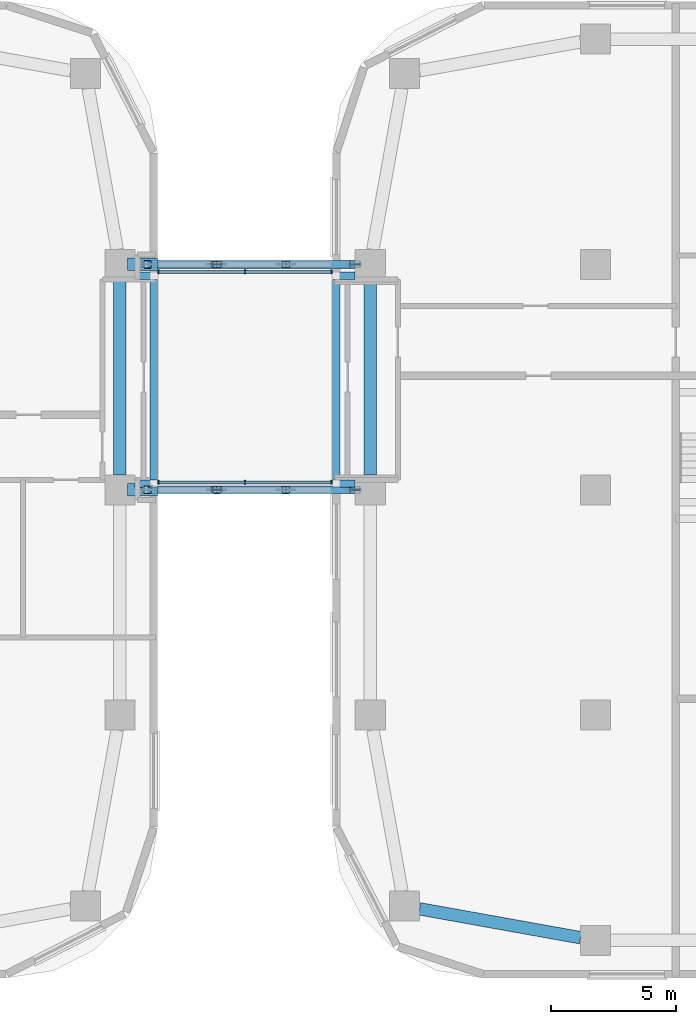
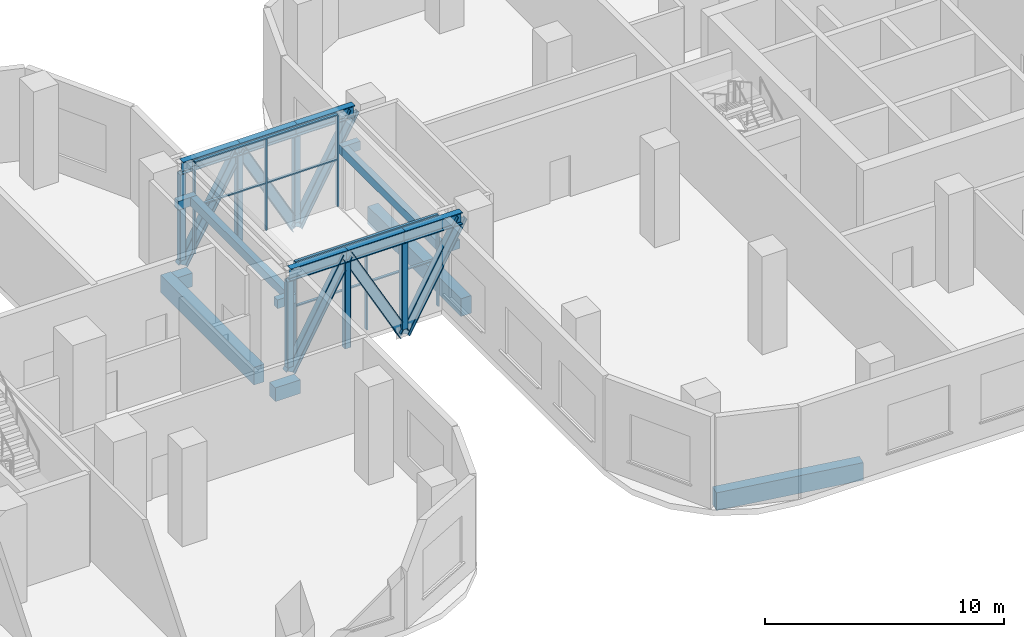
# One storey, part 2 of 33: 28 members, 11 beams, 2 elements without a shape of their own.
"""IFC4 building model written with IfcOpenShell, lengths in metres."""

import ifcopenshell
import ifcopenshell.guid

model = None  # the IFC model being written
_history = None  # IfcOwnerHistory: only IFC2X3 demands one
_inside = {}  # id of a spatial element -> (the spatial element, [elements in it])
_under = {}  # id of a project, library or spatial element -> (it, [spatial elements below it])
_declared = {}  # id of a project -> (the project, [libraries it declares])
_typed = {}  # id of a type object -> (the type object, [elements of that type])
_made_of = {}  # id of a material, layer set ... -> (it, [elements and type objects made of it])


def new_model(schema):
    """Start an empty IFC model of exactly this schema.

    Asked for "IFC4X3", IfcOpenShell would pick the latest addendum, in which some entities
    have other attributes; the version numbers below select the first issue.
    IFC2X3 requires an IfcOwnerHistory on every rooted entity: one is made here for all.
    """
    global model, _history
    if schema == "IFC4X3":
        model = ifcopenshell.file(schema_version=(4, 3, 0, 0))
    else:
        model = ifcopenshell.file(schema=schema)
    _inside.clear()
    _under.clear()
    _declared.clear()
    _typed.clear()
    _made_of.clear()
    _history = None
    if model.schema == "IFC2X3":
        org = make("IfcOrganization", Name="unknown")
        user = make(
            "IfcPersonAndOrganization",
            ThePerson=make("IfcPerson", FamilyName="unknown"),
            TheOrganization=org,
        )
        app = make(
            "IfcApplication",
            ApplicationDeveloper=org,
            Version="unknown",
            ApplicationFullName="unknown",
            ApplicationIdentifier="unknown",
        )
        _history = make(
            "IfcOwnerHistory",
            OwningUser=user,
            OwningApplication=app,
            ChangeAction="ADDED",
            CreationDate=0,
        )
    return model


def make(cls, **values):
    """One entity of the class cls with the attributes given. An attribute that is None is left unset."""
    return model.create_entity(
        cls, **{name: value for name, value in values.items() if value is not None}
    )


def rooted(cls, **values):
    """An entity with a GlobalId (a new one), such as an element, a storey or a relation."""
    return make(cls, GlobalId=ifcopenshell.guid.new(), OwnerHistory=_history, **values)


def si_unit(unit_type, name, prefix=None):
    """IfcSIUnit, for example si_unit("LENGTHUNIT", "METRE", prefix="MILLI")."""
    return make("IfcSIUnit", UnitType=unit_type, Prefix=prefix, Name=name)


def assignment(units):
    """IfcUnitAssignment: the units of a project."""
    return None if units is None else make("IfcUnitAssignment", Units=units)


def point(xyz):
    """IfcCartesianPoint."""
    return None if xyz is None else make("IfcCartesianPoint", Coordinates=xyz)


def direction(xyz):
    """IfcDirection."""
    return None if xyz is None else make("IfcDirection", DirectionRatios=xyz)


def frame(location, z_axis=None, x_axis=None):
    """IfcAxis2Placement3D, a coordinate frame: its origin and axes. An axis left out is left unset."""
    return make(
        "IfcAxis2Placement3D",
        Location=point(location),
        Axis=direction(z_axis),
        RefDirection=direction(x_axis),
    )


def frame_2d(location, x_axis=None):
    """IfcAxis2Placement2D, a coordinate frame in the plane: its origin and x axis."""
    return make(
        "IfcAxis2Placement2D", Location=point(location), RefDirection=direction(x_axis)
    )


def origin():
    """The frame at (0, 0, 0) with its axes left unset."""
    return frame((0.0, 0.0, 0.0))


def origin_2d():
    """The frame at (0, 0) in the plane with its x axis left unset."""
    return frame_2d((0.0, 0.0))


def place(relative_to, where):
    """IfcLocalPlacement: puts the frame where relative to a parent placement (None: the world)."""
    return make(
        "IfcLocalPlacement", PlacementRelTo=relative_to, RelativePlacement=where
    )


def context(
    kind, dimensions, precision=None, world=None, true_north=None, identifier=None
):
    """IfcGeometricRepresentationContext, for example the 3D "Model" context."""
    return make(
        "IfcGeometricRepresentationContext",
        ContextIdentifier=identifier,
        ContextType=kind,
        CoordinateSpaceDimension=dimensions,
        Precision=precision,
        WorldCoordinateSystem=world,
        TrueNorth=true_north,
    )


def subcontext(parent, identifier, kind, view, scale=None):
    """IfcGeometricRepresentationSubContext, for example "Body" below "Model"."""
    return make(
        "IfcGeometricRepresentationSubContext",
        ContextIdentifier=identifier,
        ContextType=kind,
        ParentContext=parent,
        TargetScale=scale,
        TargetView=view,
    )


def project(units=None, contexts=None):
    """IfcProject with its units and contexts."""
    return rooted(
        "IfcProject",
        Name="project",
        RepresentationContexts=contexts,
        UnitsInContext=assignment(units),
    )


def spatial(cls, under=None, at=None, **own):
    """A site, building, storey or space (cls), placed at a placement, below another one or the project."""
    s = rooted(cls, ObjectPlacement=at, **own)
    if under is not None:
        _under.setdefault(under.id(), (under, []))[1].append(s)
    return s


def profile(cls, at=None, kind="AREA", **sizes):
    """A parametric profile (cls). Its sizes go by their IFC names, for example OverallWidth=200.0."""
    return make(cls, ProfileType=kind, Position=at, **sizes)


def rectangle(**sizes):
    """IfcRectangleProfileDef."""
    return profile("IfcRectangleProfileDef", **sizes)


def hollow_rectangle(**sizes):
    """IfcRectangleHollowProfileDef."""
    return profile("IfcRectangleHollowProfileDef", **sizes)


def i_section(**sizes):
    """IfcIShapeProfileDef."""
    return profile("IfcIShapeProfileDef", **sizes)


def extrude(swept, where, along, depth):
    """IfcExtrudedAreaSolid: the profile swept, set in the frame where, extruded along a direction by depth."""
    return make(
        "IfcExtrudedAreaSolid",
        SweptArea=swept,
        Position=where,
        ExtrudedDirection=direction(along),
        Depth=depth,
    )


def shape(context_of_items, identifier, shape_type, items):
    """IfcShapeRepresentation: the items that make up one representation, for example the "Body"."""
    return make(
        "IfcShapeRepresentation",
        ContextOfItems=context_of_items,
        RepresentationIdentifier=identifier,
        RepresentationType=shape_type,
        Items=items,
    )


def material(Name=None, Category=None):
    """IfcMaterial."""
    return make("IfcMaterial", Name=Name, Category=Category)


def material_profile(
    of_material, cross_section, Name=None, Category=None, Priority=None
):
    """IfcMaterialProfile: a cross section and its material."""
    return make(
        "IfcMaterialProfile",
        Name=Name,
        Material=of_material,
        Profile=cross_section,
        Priority=Priority,
        Category=Category,
    )


def profile_set(profiles, Name=None, composite=None):
    """IfcMaterialProfileSet."""
    return make(
        "IfcMaterialProfileSet",
        Name=Name,
        MaterialProfiles=profiles,
        CompositeProfile=composite,
    )


def made_of(thing, what):
    """Note that an element or type object is made of a material, layer set ...; save() writes the relation."""
    if what is not None:
        _made_of.setdefault(what.id(), (what, []))[1].append(thing)
    return thing


def type_object(cls, material=None, **own):
    """A type object (cls), such as IfcWallType, which elements share."""
    return made_of(rooted(cls, **own), material)


def element(
    cls,
    number,
    at=None,
    inside=None,
    cuts=None,
    type_object=None,
    material=None,
    context=None,
    identifier="Body",
    shape_type=None,
    held_by="IfcProductDefinitionShape",
    body=None,
    shapes=None,
    **own,
):
    """One element of the class cls, such as IfcWall. Its Tag is "e" and its number.

    at: its placement. inside: the storey or other place that contains it. cuts: it is an
    opening in that element (IfcRelVoidsElement). A single representation is given by context,
    identifier, shape_type and body (its items); several are given by shapes. held_by: the class
    of the entity that holds the representations. save() writes the other relations.
    """
    e = rooted(cls, Tag="e%d" % number, ObjectPlacement=at, **own)
    if body is not None:
        shapes = [shape(context, identifier, shape_type, body)]
    if shapes is not None:
        e.Representation = make(held_by, Representations=shapes)
    if inside is not None:
        _inside.setdefault(inside.id(), (inside, []))[1].append(e)
    if cuts is not None:
        rooted(
            "IfcRelVoidsElement", RelatingBuildingElement=cuts, RelatedOpeningElement=e
        )
    if type_object is not None:
        _typed.setdefault(type_object.id(), (type_object, []))[1].append(e)
    return made_of(e, material)


def aggregate(whole, parts):
    """IfcRelAggregates: a whole, such as a stair, and the parts it consists of."""
    return rooted("IfcRelAggregates", RelatingObject=whole, RelatedObjects=parts)


def save(model, path):
    """Write the relations noted so far, then the file.

    IfcRelAggregates (storeys below a building ...), IfcRelContainedInSpatialStructure (elements
    in a storey), IfcRelDefinesByType, IfcRelAssociatesMaterial and IfcRelDeclares: one each for
    every whole, place, type object, material and project.
    """
    for whole, parts in _under.values():
        aggregate(whole, parts)
    for where, things in _inside.values():
        rooted(
            "IfcRelContainedInSpatialStructure",
            RelatedElements=things,
            RelatingStructure=where,
        )
    for kind, things in _typed.values():
        rooted("IfcRelDefinesByType", RelatedObjects=things, RelatingType=kind)
    for what, things in _made_of.values():
        rooted("IfcRelAssociatesMaterial", RelatedObjects=things, RelatingMaterial=what)
    for by, libraries in _declared.values():
        rooted("IfcRelDeclares", RelatingContext=by, RelatedDefinitions=libraries)
    model.write(path)


model = new_model("IFC4")

# Units and contexts
model_context = context("Model", 3, precision=1e-05, world=origin(), true_north=direction((0.0, 1.0)))
body_context = subcontext(model_context, "Body", "Model", "MODEL_VIEW")
ifc_project = project(units=[si_unit("LENGTHUNIT", "METRE"), si_unit("AREAUNIT", "SQUARE_METRE"), si_unit("VOLUMEUNIT", "CUBIC_METRE"), si_unit("PLANEANGLEUNIT", "RADIAN"), si_unit("MASSUNIT", "GRAM", prefix="KILO")], contexts=[model_context])

# Site, building, storey
site_placement = place(None, origin())
site = spatial("IfcSite", under=ifc_project, at=site_placement, CompositionType="ELEMENT")
building_placement = place(site_placement, origin())
building = spatial("IfcBuilding", under=site, at=building_placement, Name="Ogive Portal Towers", CompositionType="ELEMENT")
storey_placement = place(building_placement, frame((0.0, 0.0, 28.5)))
storey = spatial("IfcBuildingStorey", under=building, at=storey_placement, Name="L05", CompositionType="ELEMENT", Elevation=28.5)

# Beams
ifc_material_1 = material(Name="Concrete C40/50", Category="concrete")
ifc_material_profile_1 = material_profile(ifc_material_1, rectangle(XDim=0.300048828125, YDim=0.449951171875, at=origin_2d()), Name="RC 300x450")
ifc_profile_set_1 = profile_set([ifc_material_profile_1], Name="Concrete C40/50")
beam_type_1 = type_object("IfcBeamType", Name="BEAM RC 300x450", PredefinedType="BEAM", material=ifc_profile_set_1)
for number, where, z_axis, x_axis, name in (
    (1, (104.10009765625, 30.75, 2.925048828125), (1.0, 0.0, 0.0), (0.0, 1.0, 0.0), "Link lintel bracket L05"),
    (2, (104.10009765625, 39.050048828125, 2.925048828125), (1.0, 0.0, 0.0), (0.0, 1.0, 0.0), "Link lintel bracket L05"),
):
    element("IfcBeam", number, at=place(storey_placement, frame(where, z_axis=z_axis, x_axis=x_axis)), inside=storey, type_object=beam_type_1, Name=name, PredefinedType="BEAM", context=body_context, shape_type="SweptSolid", body=[
        extrude(rectangle(XDim=0.300048828125, YDim=0.449951171875, at=origin_2d()), origin(), (0.0, 0.0, 1.0), 0.89990234375),
    ])
beam_1_placement = place(storey_placement, frame((104.85009765625, 30.89990234375, 2.925048828125), z_axis=(0.0, 1.0, 0.0), x_axis=(-1.0, 0.0, 0.0)))
element("IfcBeam", 3, at=beam_1_placement, inside=storey, type_object=beam_type_1, Name="Link lintel beam L05", PredefinedType="BEAM", context=body_context, shape_type="SweptSolid", body=[
    extrude(rectangle(XDim=0.300048828125, YDim=0.449951171875, at=origin_2d()), origin(), (0.0, 0.0, 1.0), 8.0),
])
for number, where, z_axis, x_axis, name in (
    (4, (112.89990234375, 39.050048828125, 2.925048828125), (-1.0, 0.0, 0.0), (0.0, -1.0, 0.0), "Link lintel bracket L05"),
    (5, (112.89990234375, 30.75, 2.925048828125), (-1.0, 0.0, 0.0), (0.0, -1.0, 0.0), "Link lintel bracket L05"),
):
    element("IfcBeam", number, at=place(storey_placement, frame(where, z_axis=z_axis, x_axis=x_axis)), inside=storey, type_object=beam_type_1, Name=name, PredefinedType="BEAM", context=body_context, shape_type="SweptSolid", body=[
        extrude(rectangle(XDim=0.300048828125, YDim=0.449951171875, at=origin_2d()), origin(), (0.0, 0.0, 1.0), 0.89990234375),
    ])
beam_2_placement = place(storey_placement, frame((112.14990234375, 38.89990234375, 2.925048828125), z_axis=(0.0, -1.0, 0.0), x_axis=(1.0, 0.0, 0.0)))
element("IfcBeam", 6, at=beam_2_placement, inside=storey, type_object=beam_type_1, Name="Link lintel beam L05", PredefinedType="BEAM", context=body_context, shape_type="SweptSolid", body=[
    extrude(rectangle(XDim=0.300048828125, YDim=0.449951171875, at=origin_2d()), origin(), (0.0, 0.0, 1.0), 8.0),
])

# Members
ifc_material_2 = material(Name="Steel S355", Category="steel")
ifc_material_profile_2 = material_profile(ifc_material_2, i_section(OverallWidth=0.300048828125, OverallDepth=0.5, WebThickness=0.014404296875, FlangeThickness=0.028076171875, FilletRadius=0.027099609375, at=origin_2d()), Name="HEB 500")
ifc_profile_set_2 = profile_set([ifc_material_profile_2], Name="Steel S355")
member_type_1 = type_object("IfcMemberType", Name="BRACE HEB 500", PredefinedType="BRACE", material=ifc_profile_set_2)
for number, where, z_axis, x_axis, name in (
    (7, (104.60009765625, 30.5, -0.610107421875), (0.484147689614, 0.0, 0.874986293973), (0.0, 1.0, 0.0), "Link truss diagonal"),
    (8, (107.36669921875, 30.5, 4.389892578125), (0.484147689614, 0.0, -0.874986293973), (0.0, 1.0, 0.0), "Link truss diagonal"),
    (9, (110.13330078125, 30.5, -0.610107421875), (0.484147689614, 0.0, 0.874986293973), (0.0, 1.0, 0.0), "Link truss diagonal"),
    (10, (104.60009765625, 39.5, -0.610107421875), (0.484147689614, 0.0, 0.874986293973), (0.0, 1.0, 0.0), "Link truss diagonal"),
    (11, (107.36669921875, 39.5, 4.389892578125), (0.484147689614, 0.0, -0.874986293973), (0.0, 1.0, 0.0), "Link truss diagonal"),
    (12, (110.13330078125, 39.5, -0.610107421875), (0.484147689614, 0.0, 0.874986293973), (0.0, 1.0, 0.0), "Link truss diagonal"),
):
    element("IfcMember", number, at=place(storey_placement, frame(where, z_axis=z_axis, x_axis=x_axis)), inside=storey, type_object=member_type_1, Name=name, PredefinedType="BRACE", context=body_context, shape_type="SweptSolid", body=[
        extrude(i_section(OverallWidth=0.300048828125, OverallDepth=0.5, WebThickness=0.014404296875, FlangeThickness=0.028076171875, FilletRadius=0.027099609375, at=origin_2d()), origin(), (0.0, 0.0, 1.0), 5.71435546875),
    ])
ifc_material_profile_3 = material_profile(ifc_material_2, i_section(OverallWidth=0.304931640625, OverallDepth=0.6201171875, WebThickness=0.02099609375, FlangeThickness=0.0400390625, FilletRadius=0.027099609375, at=origin_2d()), Name="HEM 600")
ifc_profile_set_3 = profile_set([ifc_material_profile_3], Name="Steel S355")
member_type_2 = type_object("IfcMemberType", Name="CHORD HEM 600", PredefinedType="CHORD", material=ifc_profile_set_3)
for number, where, z_axis, x_axis, name in (
    (13, (104.60009765625, 30.5, 4.389892578125), (1.0, 0.0, 0.0), (0.0, 1.0, 0.0), "Link truss top chord"),
    (14, (107.36669921875, 30.5, 4.389892578125), (1.0, 0.0, 0.0), (0.0, 1.0, 0.0), "Link truss top chord"),
    (15, (110.13330078125, 30.5, 4.389892578125), (1.0, 0.0, 0.0), (0.0, 1.0, 0.0), "Link truss top chord"),
    (16, (104.60009765625, 39.5, 4.389892578125), (1.0, 0.0, 0.0), (0.0, 1.0, 0.0), "Link truss top chord"),
    (17, (107.36669921875, 39.5, 4.389892578125), (1.0, 0.0, 0.0), (0.0, 1.0, 0.0), "Link truss top chord"),
    (18, (110.13330078125, 39.5, 4.389892578125), (1.0, 0.0, 0.0), (0.0, 1.0, 0.0), "Link truss top chord"),
):
    element("IfcMember", number, at=place(storey_placement, frame(where, z_axis=z_axis, x_axis=x_axis)), inside=storey, type_object=member_type_2, Name=name, PredefinedType="CHORD", context=body_context, shape_type="SweptSolid", body=[
        extrude(i_section(OverallWidth=0.304931640625, OverallDepth=0.6201171875, WebThickness=0.02099609375, FlangeThickness=0.0400390625, FilletRadius=0.027099609375, at=origin_2d()), origin(), (0.0, 0.0, 1.0), 2.7666015625),
    ])

# Curtain wall, members
ifc_material_3 = material(Name="Glass, clear low-iron insulated glazing", Category="glass")
curtain_wall_type = type_object("IfcCurtainWallType", Name="CW LINK ENCLOSURE", PredefinedType="NOTDEFINED", material=ifc_material_3)
curtain_wall_1_placement = place(storey_placement, origin())
curtain_wall_1 = element("IfcCurtainWall", 19, at=curtain_wall_1_placement, inside=storey, type_object=curtain_wall_type, Name="A:L05:link:s", PredefinedType="NOTDEFINED")
ifc_material_4 = material(Name="Aluminium 6063 anodised", Category="aluminium")
ifc_material_profile_4 = material_profile(ifc_material_4, rectangle(XDim=0.159912109375, YDim=0.06005859375, at=origin_2d()), Name="AL 60x160")
ifc_profile_set_4 = profile_set([ifc_material_profile_4], Name="Aluminium 6063 anodised")
member_type_3 = type_object("IfcMemberType", Name="CW MULLION 60x160", PredefinedType="MULLION", material=ifc_profile_set_4)
member_1_placement = place(storey_placement, frame((105.050048828125, 30.800048828125, 0.0), z_axis=(0.0, 0.0, 1.0), x_axis=(0.0, 1.0, 0.0)))
member_1 = element("IfcMember", 20, at=member_1_placement, type_object=member_type_3, Name="mullion", PredefinedType="MULLION", context=body_context, shape_type="SweptSolid", body=[
    extrude(rectangle(XDim=0.159912109375, YDim=0.06005859375, at=origin_2d()), origin(), (0.0, 0.0, 1.0), 4.639892578125),
])
member_2_placement = place(storey_placement, frame((108.5, 30.800048828125, 0.0), z_axis=(0.0, 0.0, 1.0), x_axis=(0.0, 1.0, 0.0)))
member_2 = element("IfcMember", 21, at=member_2_placement, type_object=member_type_3, Name="mullion", PredefinedType="MULLION", context=body_context, shape_type="SweptSolid", body=[
    extrude(rectangle(XDim=0.159912109375, YDim=0.06005859375, at=origin_2d()), origin(), (0.0, 0.0, 1.0), 4.639892578125),
])
member_3_placement = place(storey_placement, frame((111.949951171875, 30.800048828125, 0.0), z_axis=(0.0, 0.0, 1.0), x_axis=(0.0, 1.0, 0.0)))
member_3 = element("IfcMember", 22, at=member_3_placement, type_object=member_type_3, Name="mullion", PredefinedType="MULLION", context=body_context, shape_type="SweptSolid", body=[
    extrude(rectangle(XDim=0.159912109375, YDim=0.06005859375, at=origin_2d()), origin(), (0.0, 0.0, 1.0), 4.639892578125),
])

curtain_wall_2_placement = place(storey_placement, origin())
curtain_wall_2 = element("IfcCurtainWall", 23, at=curtain_wall_2_placement, inside=storey, type_object=curtain_wall_type, Name="A:L05:link:n", PredefinedType="NOTDEFINED")
member_4_placement = place(storey_placement, frame((105.050048828125, 39.199951171875, 0.0), z_axis=(0.0, 0.0, 1.0), x_axis=(0.0, 1.0, 0.0)))
member_4 = element("IfcMember", 24, at=member_4_placement, type_object=member_type_3, Name="mullion", PredefinedType="MULLION", context=body_context, shape_type="SweptSolid", body=[
    extrude(rectangle(XDim=0.159912109375, YDim=0.06005859375, at=origin_2d()), origin(), (0.0, 0.0, 1.0), 4.639892578125),
])
member_5_placement = place(storey_placement, frame((108.5, 39.199951171875, 0.0), z_axis=(0.0, 0.0, 1.0), x_axis=(0.0, 1.0, 0.0)))
member_5 = element("IfcMember", 25, at=member_5_placement, type_object=member_type_3, Name="mullion", PredefinedType="MULLION", context=body_context, shape_type="SweptSolid", body=[
    extrude(rectangle(XDim=0.159912109375, YDim=0.06005859375, at=origin_2d()), origin(), (0.0, 0.0, 1.0), 4.639892578125),
])
member_6_placement = place(storey_placement, frame((111.949951171875, 39.199951171875, 0.0), z_axis=(0.0, 0.0, 1.0), x_axis=(0.0, 1.0, 0.0)))
member_6 = element("IfcMember", 26, at=member_6_placement, type_object=member_type_3, Name="mullion", PredefinedType="MULLION", context=body_context, shape_type="SweptSolid", body=[
    extrude(rectangle(XDim=0.159912109375, YDim=0.06005859375, at=origin_2d()), origin(), (0.0, 0.0, 1.0), 4.639892578125),
])

# Member
ifc_material_profile_5 = material_profile(ifc_material_4, rectangle(XDim=0.1201171875, YDim=0.06005859375, at=origin_2d()), Name="AL 120x60")
ifc_profile_set_5 = profile_set([ifc_material_profile_5], Name="Aluminium 6063 anodised")
member_type_4 = type_object("IfcMemberType", Name="CW TRANSOM 60x120", PredefinedType="USERDEFINED", material=ifc_profile_set_5)
member_7_placement = place(storey_placement, frame((105.050048828125, 30.800048828125, 2.39990234375), z_axis=(1.0, 0.0, 0.0), x_axis=(0.0, 1.0, 0.0)))
member_7 = element("IfcMember", 27, at=member_7_placement, type_object=member_type_4, Name="transom", ObjectType="TRANSOM", PredefinedType="USERDEFINED", context=body_context, shape_type="SweptSolid", body=[
    extrude(rectangle(XDim=0.1201171875, YDim=0.06005859375, at=origin_2d()), origin(), (0.0, 0.0, 1.0), 6.89990234375),
])

member_8_placement = place(storey_placement, frame((105.050048828125, 30.800048828125, 4.669921875), z_axis=(1.0, 0.0, 0.0), x_axis=(0.0, 1.0, 0.0)))
member_8 = element("IfcMember", 28, at=member_8_placement, type_object=member_type_4, Name="transom", ObjectType="TRANSOM", PredefinedType="USERDEFINED", context=body_context, shape_type="SweptSolid", body=[
    extrude(rectangle(XDim=0.1201171875, YDim=0.06005859375, at=origin_2d()), origin(), (0.0, 0.0, 1.0), 6.89990234375),
])

aggregate(curtain_wall_1, [member_7, member_8, member_1, member_2, member_3])

member_9_placement = place(storey_placement, frame((105.050048828125, 39.199951171875, 2.39990234375), z_axis=(1.0, 0.0, 0.0), x_axis=(0.0, 1.0, 0.0)))
member_9 = element("IfcMember", 29, at=member_9_placement, type_object=member_type_4, Name="transom", ObjectType="TRANSOM", PredefinedType="USERDEFINED", context=body_context, shape_type="SweptSolid", body=[
    extrude(rectangle(XDim=0.1201171875, YDim=0.06005859375, at=origin_2d()), origin(), (0.0, 0.0, 1.0), 6.89990234375),
])

member_10_placement = place(storey_placement, frame((105.050048828125, 39.199951171875, 4.669921875), z_axis=(1.0, 0.0, 0.0), x_axis=(0.0, 1.0, 0.0)))
member_10 = element("IfcMember", 30, at=member_10_placement, type_object=member_type_4, Name="transom", ObjectType="TRANSOM", PredefinedType="USERDEFINED", context=body_context, shape_type="SweptSolid", body=[
    extrude(rectangle(XDim=0.1201171875, YDim=0.06005859375, at=origin_2d()), origin(), (0.0, 0.0, 1.0), 6.89990234375),
])

aggregate(curtain_wall_2, [member_9, member_10, member_4, member_5, member_6])

# Beams
ifc_material_5 = material(Name="Concrete C50/60", Category="concrete")
ifc_material_profile_6 = material_profile(ifc_material_5, rectangle(XDim=0.5, YDim=0.89990234375, at=origin_2d()), Name="RC 500x900")
ifc_profile_set_6 = profile_set([ifc_material_profile_6], Name="Concrete C50/60")
beam_type_2 = type_object("IfcBeamType", Name="PODIUM GIRDER RC 500x900", PredefinedType="BEAM", material=ifc_profile_set_6)
beam_3_placement = place(storey_placement, frame((103.5, 31.10009765625, -0.75), z_axis=(0.0, 1.0, 0.0), x_axis=(-1.0, 0.0, 0.0)))
element("IfcBeam", 31, at=beam_3_placement, inside=storey, type_object=beam_type_2, Name="Spandrel beam L05", PredefinedType="BEAM", context=body_context, shape_type="SweptSolid", body=[
    extrude(rectangle(XDim=0.5, YDim=0.89990234375, at=origin_2d()), origin(), (0.0, 0.0, 1.0), 7.7998046875),
])
beam_4_placement = place(storey_placement, frame((115.469970703125, 13.76220703125, -0.75), z_axis=(0.984259207685, -0.176730903032, 0.0), x_axis=(0.176730903032, 0.984259207685, 0.0)))
element("IfcBeam", 32, at=beam_4_placement, inside=storey, type_object=beam_type_2, Name="Spandrel beam L05", PredefinedType="BEAM", context=body_context, shape_type="SweptSolid", body=[
    extrude(rectangle(XDim=0.5, YDim=0.89990234375, at=origin_2d()), origin(), (0.0, 0.0, 1.0), 6.53271484375),
])
beam_5_placement = place(storey_placement, frame((113.5, 38.89990234375, -0.75), z_axis=(0.0, -1.0, 0.0), x_axis=(1.0, 0.0, 0.0)))
element("IfcBeam", 33, at=beam_5_placement, inside=storey, type_object=beam_type_2, Name="Spandrel beam L05", PredefinedType="BEAM", context=body_context, shape_type="SweptSolid", body=[
    extrude(rectangle(XDim=0.5, YDim=0.89990234375, at=origin_2d()), origin(), (0.0, 0.0, 1.0), 7.7998046875),
])

# Members
ifc_material_profile_7 = material_profile(ifc_material_2, hollow_rectangle(XDim=0.300048828125, YDim=0.300048828125, WallThickness=0.01611328125, InnerFilletRadius=0.02392578125, OuterFilletRadius=0.0400390625, at=origin_2d()), Name="SHS 300x300x16")
ifc_profile_set_7 = profile_set([ifc_material_profile_7], Name="Steel S355")
member_type_5 = type_object("IfcMemberType", Name="POST SHS 300x300x16", PredefinedType="POST", material=ifc_profile_set_7)
for number, where, z_axis, x_axis, name in (
    (34, (104.60009765625, 30.5, -0.300048828125), (0.0, 0.0, 1.0), (1.0, 0.0, 0.0), "Link truss post"),
    (35, (107.36669921875, 30.5, -0.300048828125), (0.0, 0.0, 1.0), (1.0, 0.0, 0.0), "Link truss post"),
    (36, (110.13330078125, 30.5, -0.300048828125), (0.0, 0.0, 1.0), (1.0, 0.0, 0.0), "Link truss post"),
    (37, (104.60009765625, 39.5, -0.300048828125), (0.0, 0.0, 1.0), (1.0, 0.0, 0.0), "Link truss post"),
    (38, (107.36669921875, 39.5, -0.300048828125), (0.0, 0.0, 1.0), (1.0, 0.0, 0.0), "Link truss post"),
    (39, (110.13330078125, 39.5, -0.300048828125), (0.0, 0.0, 1.0), (1.0, 0.0, 0.0), "Link truss post"),
):
    element("IfcMember", number, at=place(storey_placement, frame(where, z_axis=z_axis, x_axis=x_axis)), inside=storey, type_object=member_type_5, Name=name, PredefinedType="POST", context=body_context, shape_type="SweptSolid", body=[
        extrude(hollow_rectangle(XDim=0.300048828125, YDim=0.300048828125, WallThickness=0.01611328125, InnerFilletRadius=0.02392578125, OuterFilletRadius=0.0400390625, at=origin_2d()), origin(), (0.0, 0.0, 1.0), 4.380126953125),
    ])

# Beams
ifc_material_profile_8 = material_profile(ifc_material_1, rectangle(XDim=0.5, YDim=0.699951171875, at=origin_2d()), Name="RC 500x700")
ifc_profile_set_8 = profile_set([ifc_material_profile_8], Name="Concrete C40/50")
beam_type_3 = type_object("IfcBeamType", Name="SEAT BEAM RC 500x700", PredefinedType="BEAM", material=ifc_profile_set_8)
for number, where, z_axis, x_axis, name in (
    (40, (103.800048828125, 30.5, -1.3701171875), (1.0, 0.0, 0.0), (0.0, 1.0, 0.0), "Bridge seat"),
    (41, (103.800048828125, 39.5, -1.3701171875), (1.0, 0.0, 0.0), (0.0, 1.0, 0.0), "Bridge seat"),
):
    element("IfcBeam", number, at=place(storey_placement, frame(where, z_axis=z_axis, x_axis=x_axis)), inside=storey, type_object=beam_type_3, Name=name, PredefinedType="BEAM", context=body_context, shape_type="SweptSolid", body=[
        extrude(rectangle(XDim=0.5, YDim=0.699951171875, at=origin_2d()), origin(), (0.0, 0.0, 1.0), 1.199951171875),
    ])

save(model, "model.ifc")
